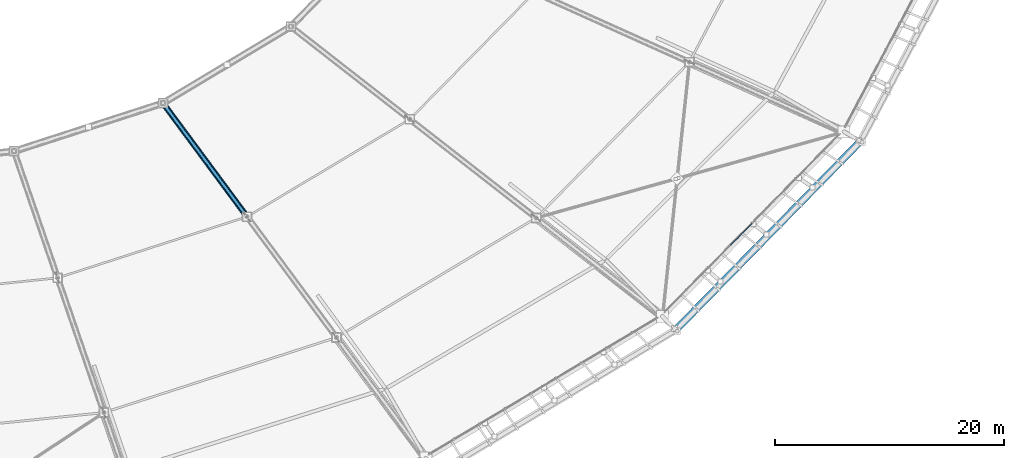
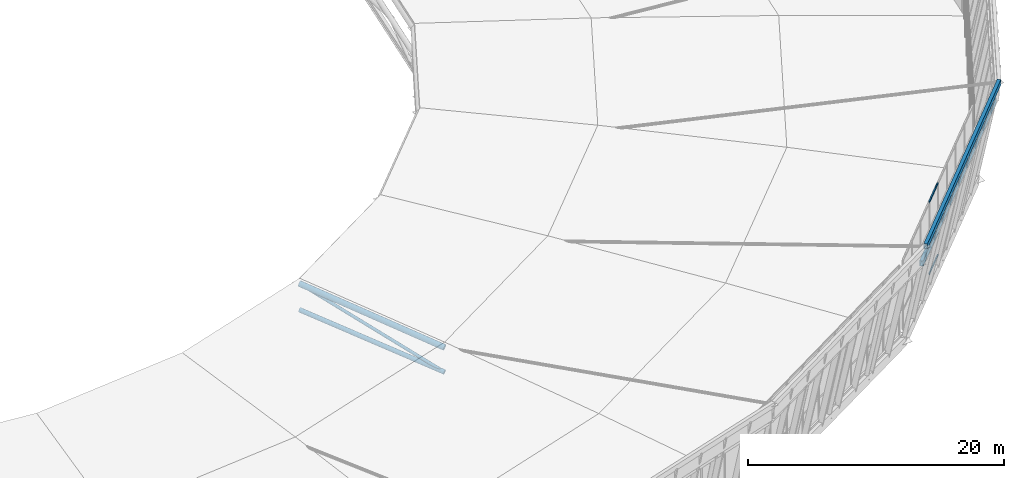
# One storey, part 40 of 115: 6 members, 2 beams, 1 element without a shape of its own.
"""IFC4 building model written with IfcOpenShell, lengths in metres."""

from ifc_helpers import new_model, si_unit, direction, frame, origin, origin_2d, place, context, subcontext, project, spatial, rectangle, hollow_rectangle, hollow_circle, extrude, material, material_profile, profile_set, type_object, element, aggregate, save


model = new_model("IFC4")

# Units and contexts
model_context = context("Model", 3, precision=1e-05, world=origin(), true_north=direction((0.0, 1.0)))
body_context = subcontext(model_context, "Body", "Model", "MODEL_VIEW")
ifc_project = project(units=[si_unit("LENGTHUNIT", "METRE"), si_unit("AREAUNIT", "SQUARE_METRE"), si_unit("VOLUMEUNIT", "CUBIC_METRE"), si_unit("PLANEANGLEUNIT", "RADIAN"), si_unit("MASSUNIT", "GRAM", prefix="KILO")], contexts=[model_context])

# Site, building, storey
site_placement = place(None, origin())
site = spatial("IfcSite", under=ifc_project, at=site_placement, CompositionType="ELEMENT")
building_placement = place(site_placement, origin())
building = spatial("IfcBuilding", under=site, at=building_placement, Name="Zlatoyarsky Gate Stadium", CompositionType="ELEMENT")
storey_placement = place(building_placement, frame((0.0, 0.0, 31.800048828125)))
storey = spatial("IfcBuildingStorey", under=building, at=storey_placement, Name="RF", CompositionType="ELEMENT", Elevation=31.800048828125)

# Curtain wall, members
ifc_material_1 = material(Name="Thermally broken anodised aluminium curtain wall", Category="aluminium")
curtain_wall_type = type_object("IfcCurtainWallType", Name="UNITISED SKYBOX RING GLAZING L05", PredefinedType="USERDEFINED", material=ifc_material_1)
curtain_wall_placement = place(storey_placement, origin())
curtain_wall = element("IfcCurtainWall", 1, at=curtain_wall_placement, inside=storey, type_object=curtain_wall_type, Name="Curtain wall CW-RF-21", ObjectType="UNITISED GLAZING", PredefinedType="USERDEFINED")
ifc_material_2 = material(Name="Anodised aluminium 6063-T6", Category="aluminium")
ifc_material_profile_1 = material_profile(ifc_material_2, rectangle(XDim=0.06494140625, YDim=0.139892578125, at=origin_2d()), Name="ALU 65X140")
ifc_profile_set_1 = profile_set([ifc_material_profile_1], Name="Anodised aluminium 6063-T6")
member_type_1 = type_object("IfcMemberType", Name="ALUMINIUM TRANSOM 65X140", PredefinedType="USERDEFINED", material=ifc_profile_set_1)
member_1_placement = place(storey_placement, frame((187.677001953125, 31.068603515625, 0.032470703125), z_axis=(0.701355797551, 0.712811367222, 0.0), x_axis=(-0.712811367222, 0.701355797551, 0.0)))
member_1 = element("IfcMember", 2, at=member_1_placement, type_object=member_type_1, Name="CW-UG5 transom 4.1", ObjectType="TRANSOM", PredefinedType="USERDEFINED", context=body_context, shape_type="SweptSolid", body=[
    extrude(rectangle(XDim=0.06494140625, YDim=0.139892578125, at=origin_2d()), origin(), (0.0, 0.0, 1.0), 2.6640625),
])
member_2_placement = place(storey_placement, frame((187.677001953125, 31.068603515625, 2.14990234375), z_axis=(0.701355797551, 0.712811367222, 0.0), x_axis=(-0.712811367222, 0.701355797551, 0.0)))
member_2 = element("IfcMember", 3, at=member_2_placement, type_object=member_type_1, Name="CW-UG5 transom 4.2", ObjectType="TRANSOM", PredefinedType="USERDEFINED", context=body_context, shape_type="SweptSolid", body=[
    extrude(rectangle(XDim=0.06494140625, YDim=0.139892578125, at=origin_2d()), origin(), (0.0, 0.0, 1.0), 2.6640625),
])
member_3_placement = place(storey_placement, frame((187.677001953125, 31.068603515625, 6.867431640625), z_axis=(0.701355797551, 0.712811367222, 0.0), x_axis=(-0.712811367222, 0.701355797551, 0.0)))
member_3 = element("IfcMember", 4, at=member_3_placement, type_object=member_type_1, Name="CW-UG5 transom 4.3", ObjectType="TRANSOM", PredefinedType="USERDEFINED", context=body_context, shape_type="SweptSolid", body=[
    extrude(rectangle(XDim=0.06494140625, YDim=0.139892578125, at=origin_2d()), origin(), (0.0, 0.0, 1.0), 2.6640625),
])
aggregate(curtain_wall, [member_1, member_2, member_3])

# Members
ifc_material_3 = material(Name="Steel S355", Category="steel")
ifc_material_profile_2 = material_profile(ifc_material_3, hollow_circle(Radius=0.203125, WallThickness=0.02001953125, at=origin_2d()), Name="CHS 406.4X20")
ifc_profile_set_2 = profile_set([ifc_material_profile_2], Name="Steel S355")
member_type_2 = type_object("IfcMemberType", Name="STEEL ARCH INNER CHORD CHS 406.4X20", PredefinedType="CHORD", material=ifc_profile_set_2)
member_4_placement = place(storey_placement, frame((145.369384765625, 33.563232421875, 3.949951171875), z_axis=(-0.583124971914, 0.787878145709, 0.198023469934), x_axis=(-0.803795483577, -0.594905724112, 0.0)))
element("IfcMember", 5, at=member_4_placement, inside=storey, type_object=member_type_2, Name="Radial truss R21 bottom chord 3", PredefinedType="CHORD", context=body_context, shape_type="SweptSolid", body=[
    extrude(hollow_circle(Radius=0.203125, WallThickness=0.02001953125, at=origin_2d()), origin(), (0.0, 0.0, 1.0), 12.624755859375),
])
ifc_material_profile_3 = material_profile(ifc_material_3, hollow_circle(Radius=0.25390625, WallThickness=0.02490234375, at=origin_2d()), Name="CHS 508X25")
ifc_profile_set_3 = profile_set([ifc_material_profile_3], Name="Steel S355")
member_type_3 = type_object("IfcMemberType", Name="STEEL ARCH TOP CHORD CHS 508X25", PredefinedType="CHORD", material=ifc_profile_set_3)
member_5_placement = place(storey_placement, frame((145.369384765625, 33.563232421875, 6.300048828125), z_axis=(-0.581717893715, 0.785976998931, 0.209390661882), x_axis=(-0.803795483577, -0.594905724112, 0.0)))
element("IfcMember", 6, at=member_5_placement, inside=storey, type_object=member_type_3, Name="Radial truss R21 top chord 3", PredefinedType="CHORD", context=body_context, shape_type="SweptSolid", body=[
    extrude(hollow_circle(Radius=0.25390625, WallThickness=0.02490234375, at=origin_2d()), origin(), (0.0, 0.0, 1.0), 12.6552734375),
])

# Beams
ifc_material_profile_4 = material_profile(ifc_material_3, hollow_rectangle(XDim=0.300048828125, YDim=0.5, WallThickness=0.02001953125, at=origin_2d()), Name="RHS 500X300X20")
ifc_profile_set_4 = profile_set([ifc_material_profile_4], Name="Steel S355")
beam_type = type_object("IfcBeamType", Name="STEEL LOUVRE CARRIER SPANDREL RHS 500X300X20", PredefinedType="SPANDREL", material=ifc_profile_set_4)
beam_1_placement = place(storey_placement, frame((182.76806640625, 23.788330078125, 7.14990234375), z_axis=(0.69981359091, 0.714325512618, 0.0), x_axis=(-0.714325512618, 0.69981359091, 0.0)))
element("IfcBeam", 7, at=beam_1_placement, inside=storey, type_object=beam_type, Name="Crown eaves fascia bottom carrier spandrel 21", PredefinedType="SPANDREL", context=body_context, shape_type="SweptSolid", body=[
    extrude(hollow_rectangle(XDim=0.300048828125, YDim=0.5, WallThickness=0.02001953125, at=origin_2d()), origin(), (0.0, 0.0, 1.0), 23.048095703125),
])
beam_2_placement = place(storey_placement, frame((183.0146484375, 23.54150390625, 8.849853515625), z_axis=(0.699474513412, 0.714657543924, 0.0), x_axis=(-0.714657543924, 0.699474513412, 0.0)))
element("IfcBeam", 8, at=beam_2_placement, inside=storey, type_object=beam_type, Name="Crown fascia top carrier spandrel 21", PredefinedType="SPANDREL", context=body_context, shape_type="SweptSolid", body=[
    extrude(hollow_rectangle(XDim=0.300048828125, YDim=0.5, WallThickness=0.02001953125, at=origin_2d()), origin(), (0.0, 0.0, 1.0), 23.138916015625),
])

# Member
ifc_material_profile_5 = material_profile(ifc_material_3, hollow_circle(Radius=0.136474609375, WallThickness=0.01611328125, at=origin_2d()), Name="CHS 273X16")
ifc_profile_set_5 = profile_set([ifc_material_profile_5], Name="Steel S355")
member_type_4 = type_object("IfcMemberType", Name="STEEL ROOF TRUSS DIAGONAL CHS 273X16", PredefinedType="BRACE", material=ifc_profile_set_5)
member_6_placement = place(storey_placement, frame((145.369384765625, 33.563232421875, 3.949951171875), z_axis=(-0.551582773686, 0.745260508241, 0.374624103107), x_axis=(-0.803795483577, -0.594905724112, 0.0)))
element("IfcMember", 9, at=member_6_placement, inside=storey, type_object=member_type_4, Name="Radial truss R21 web diagonal 3", PredefinedType="BRACE", context=body_context, shape_type="SweptSolid", body=[
    extrude(hollow_circle(Radius=0.136474609375, WallThickness=0.01611328125, at=origin_2d()), origin(), (0.0, 0.0, 1.0), 13.3466796875),
])

save(model, "model.ifc")
